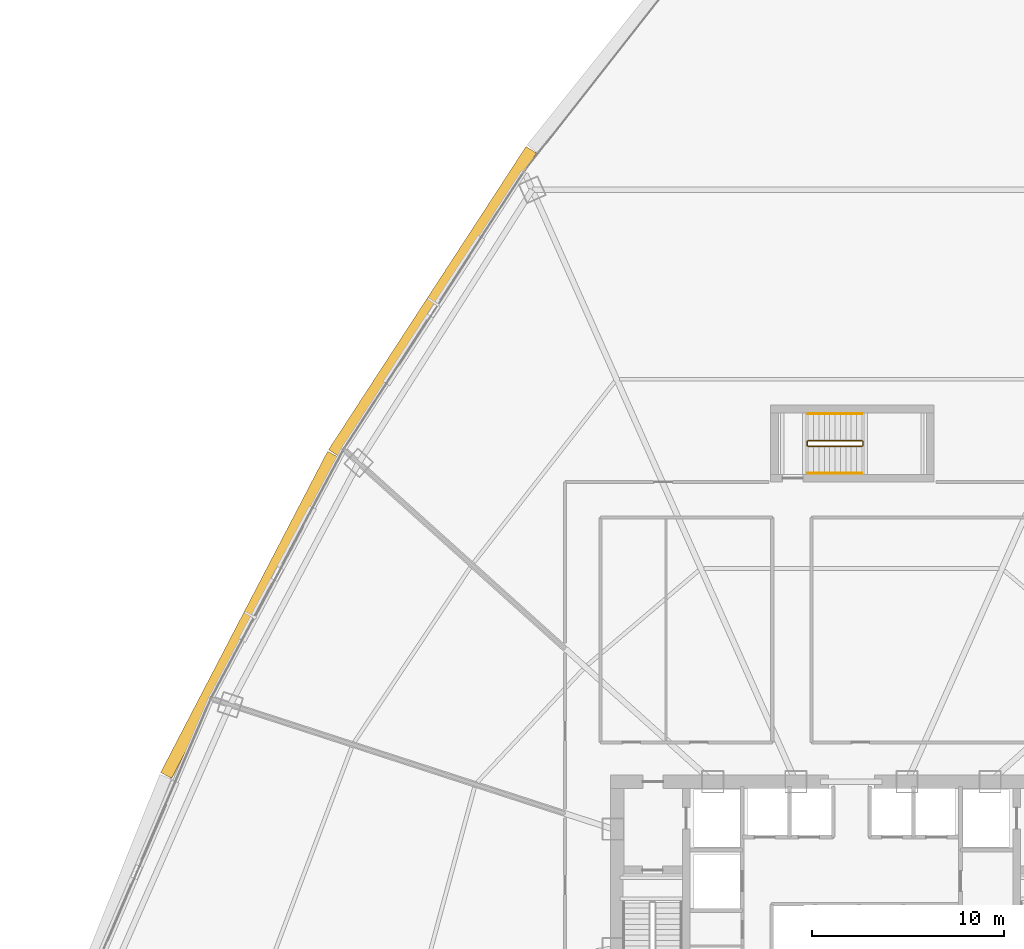
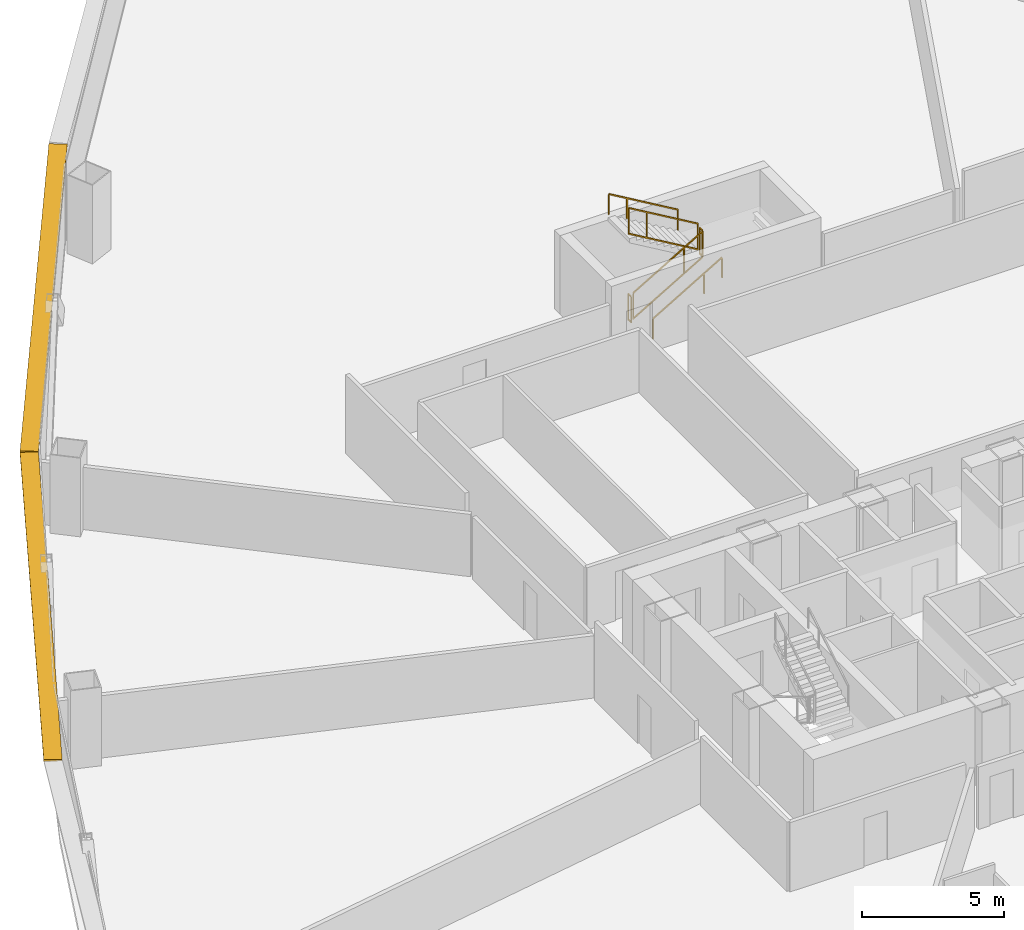
# One storey, part 39 of 40: 6 railings, 2 shading devices.
"""IFC4 building model written with IfcOpenShell, lengths in metres."""

from ifc_helpers import new_model, si_unit, direction, frame, origin, origin_2d, place, context, subcontext, project, spatial, rectangle, extrude, source, transform, mapped, material, layer, layer_set, type_object, element, save


model = new_model("IFC4")

# Units and contexts
model_context = context("Model", 3, precision=1e-05, world=origin(), true_north=direction((0.0, 1.0)))
body_context = subcontext(model_context, "Body", "Model", "MODEL_VIEW")
ifc_project = project(units=[si_unit("LENGTHUNIT", "METRE"), si_unit("AREAUNIT", "SQUARE_METRE"), si_unit("VOLUMEUNIT", "CUBIC_METRE"), si_unit("PLANEANGLEUNIT", "RADIAN"), si_unit("MASSUNIT", "GRAM", prefix="KILO"), si_unit("THERMODYNAMICTEMPERATUREUNIT", "KELVIN"), si_unit("POWERUNIT", "WATT")], contexts=[model_context])

# Site, building, storey
site_placement = place(None, origin())
site = spatial("IfcSite", under=ifc_project, at=site_placement, CompositionType="ELEMENT")
building_placement = place(site_placement, origin())
building = spatial("IfcBuilding", under=site, at=building_placement, Name="Yunzhuo Pagoda Commons", CompositionType="ELEMENT")
storey_placement = place(building_placement, frame((0.0, 0.0, 66.699951171875)))
storey = spatial("IfcBuildingStorey", under=building, at=storey_placement, Name="L17", CompositionType="ELEMENT", Elevation=66.699951171875)

# Railings
ifc_material = material(Name="Anodized aluminium 6063-T6", Category="aluminium")
railing_type_1 = type_object("IfcRailingType", Name="GR-ST3 North Well Guardrail 1155", PredefinedType="GUARDRAIL", material=ifc_material)
railing_1_placement = place(storey_placement, frame((45.75, 57.64990234375, 0.1650390625)))
element("IfcRailing", 1, at=railing_1_placement, inside=storey, type_object=railing_type_1, Name="L17 ST3 stair guard 1", PredefinedType="GUARDRAIL", context=body_context, shape_type="SweptSolid", body=[
    extrude(rectangle(XDim=0.048095703125, YDim=0.048095703125, at=origin_2d()), frame((0.0, 0.0, 1.1259765625), z_axis=(0.861555476484, 0.0, 0.507663432739), x_axis=(0.0, 1.0, 0.0)), (0.0, 0.0, 1.0), 3.25),
    extrude(rectangle(XDim=0.048095703125, YDim=0.048095703125, at=origin_2d()), frame((0.0, 0.0, 0.02392578125), z_axis=(0.861555476484, 0.0, 0.507663432739), x_axis=(0.0, 1.0, 0.0)), (0.0, 0.0, 1.0), 3.25),
    extrude(rectangle(XDim=0.0419921875, YDim=0.0419921875, at=origin_2d()), origin(), (0.0, 0.0, 1.0), 1.101806640625),
    extrude(rectangle(XDim=0.0419921875, YDim=0.0419921875, at=origin_2d()), frame((2.067626953125, 0.0, 1.218505859375)), (0.0, 0.0, 1.0), 1.101806640625),
    extrude(rectangle(XDim=0.0419921875, YDim=0.0419921875, at=origin_2d()), frame((2.800048828125, 0.0, 1.64990234375)), (0.0, 0.0, 1.0), 1.101806640625),
])
railing_2_placement = place(storey_placement, frame((48.60009765625, 57.699951171875, 1.81494140625)))
element("IfcRailing", 2, at=railing_2_placement, inside=storey, type_object=railing_type_1, Name="L17 ST3 stair guard 2", PredefinedType="GUARDRAIL", context=body_context, shape_type="SweptSolid", body=[
    extrude(rectangle(XDim=0.048095703125, YDim=0.048095703125, at=origin_2d()), frame((0.0, 0.0, 1.1259765625), z_axis=(0.0, 1.0, 0.0), x_axis=(-1.0, 0.0, 0.0)), (0.0, 0.0, 1.0), 0.199951171875),
    extrude(rectangle(XDim=0.048095703125, YDim=0.048095703125, at=origin_2d()), frame((0.0, 0.0, 0.02392578125), z_axis=(0.0, 1.0, 0.0), x_axis=(-1.0, 0.0, 0.0)), (0.0, 0.0, 1.0), 0.199951171875),
    extrude(rectangle(XDim=0.0419921875, YDim=0.0419921875, at=origin_2d()), origin(), (0.0, 0.0, 1.0), 1.101806640625),
    extrude(rectangle(XDim=0.0419921875, YDim=0.0419921875, at=origin_2d()), frame((0.0, 0.199951171875, 0.0)), (0.0, 0.0, 1.0), 1.101806640625),
])
railing_3_placement = place(storey_placement, frame((48.550048828125, 57.949951171875, 1.97998046875)))
element("IfcRailing", 3, at=railing_3_placement, inside=storey, type_object=railing_type_1, Name="L17 ST3 stair guard 3", PredefinedType="GUARDRAIL", context=body_context, shape_type="SweptSolid", body=[
    extrude(rectangle(XDim=0.048095703125, YDim=0.048095703125, at=origin_2d()), frame((0.0, 0.0, 1.1259765625), z_axis=(-0.86152261977, 0.0, 0.507719189732), x_axis=(0.0, -1.0, 0.0)), (0.0, 0.0, 1.0), 3.25),
    extrude(rectangle(XDim=0.048095703125, YDim=0.048095703125, at=origin_2d()), frame((0.0, 0.0, 0.02392578125), z_axis=(-0.86152261977, 0.0, 0.507719189732), x_axis=(0.0, -1.0, 0.0)), (0.0, 0.0, 1.0), 3.25),
    extrude(rectangle(XDim=0.0419921875, YDim=0.0419921875, at=origin_2d()), origin(), (0.0, 0.0, 1.0), 1.101806640625),
    extrude(rectangle(XDim=0.0419921875, YDim=0.0419921875, at=origin_2d()), frame((-2.067626953125, 0.0, 1.218505859375)), (0.0, 0.0, 1.0), 1.101806640625),
    extrude(rectangle(XDim=0.0419921875, YDim=0.0419921875, at=origin_2d()), frame((-2.800048828125, 0.0, 1.650146484375)), (0.0, 0.0, 1.0), 1.101806640625),
])
railing_4_placement = place(storey_placement, frame((45.699951171875, 57.699951171875, 0.0)))
element("IfcRailing", 4, at=railing_4_placement, inside=storey, type_object=railing_type_1, Name="L17 ST3 stair guard 4", PredefinedType="GUARDRAIL", context=body_context, shape_type="SweptSolid", body=[
    extrude(rectangle(XDim=0.048095703125, YDim=0.048095703125, at=origin_2d()), frame((0.0, 0.0, 1.1259765625), z_axis=(0.0, 1.0, 0.0), x_axis=(-1.0, 0.0, 0.0)), (0.0, 0.0, 1.0), 0.199951171875),
    extrude(rectangle(XDim=0.048095703125, YDim=0.048095703125, at=origin_2d()), frame((0.0, 0.0, 0.02392578125), z_axis=(0.0, 1.0, 0.0), x_axis=(-1.0, 0.0, 0.0)), (0.0, 0.0, 1.0), 0.199951171875),
    extrude(rectangle(XDim=0.0419921875, YDim=0.0419921875, at=origin_2d()), origin(), (0.0, 0.0, 1.0), 1.101806640625),
    extrude(rectangle(XDim=0.0419921875, YDim=0.0419921875, at=origin_2d()), frame((0.0, 0.199951171875, 0.0)), (0.0, 0.0, 1.0), 1.101806640625),
])
railing_type_2 = type_object("IfcRailingType", Name="HR-ST3 North Stair Handrail 900", PredefinedType="HANDRAIL", material=ifc_material)
railing_5_placement = place(storey_placement, frame((45.75, 56.25, 0.1650390625)))
element("IfcRailing", 5, at=railing_5_placement, inside=storey, type_object=railing_type_2, Name="L17 ST3 stair handrail 1", PredefinedType="HANDRAIL", context=body_context, shape_type="SweptSolid", body=[
    extrude(rectangle(XDim=0.048095703125, YDim=0.048095703125, at=origin_2d()), frame((0.0, 0.0, 0.8759765625), z_axis=(0.861555476484, 0.0, 0.507663432739), x_axis=(0.0, 1.0, 0.0)), (0.0, 0.0, 1.0), 3.25),
    extrude(rectangle(XDim=0.0419921875, YDim=0.0419921875, at=origin_2d()), origin(), (0.0, 0.0, 1.0), 0.851806640625),
    extrude(rectangle(XDim=0.0419921875, YDim=0.0419921875, at=origin_2d()), frame((2.067626953125, 0.0, 1.218505859375)), (0.0, 0.0, 1.0), 0.851806640625),
    extrude(rectangle(XDim=0.0419921875, YDim=0.0419921875, at=origin_2d()), frame((2.800048828125, 0.0, 1.64990234375)), (0.0, 0.0, 1.0), 0.851806640625),
])
railing_6_placement = place(storey_placement, frame((48.550048828125, 59.35009765625, 1.97998046875)))
element("IfcRailing", 6, at=railing_6_placement, inside=storey, type_object=railing_type_2, Name="L17 ST3 stair handrail 2", PredefinedType="HANDRAIL", context=body_context, shape_type="SweptSolid", body=[
    extrude(rectangle(XDim=0.048095703125, YDim=0.048095703125, at=origin_2d()), frame((0.0, 0.0, 0.8759765625), z_axis=(-0.86152261977, 0.0, 0.507719189732), x_axis=(0.0, -1.0, 0.0)), (0.0, 0.0, 1.0), 3.25),
    extrude(rectangle(XDim=0.0419921875, YDim=0.0419921875, at=origin_2d()), origin(), (0.0, 0.0, 1.0), 0.851806640625),
    extrude(rectangle(XDim=0.0419921875, YDim=0.0419921875, at=origin_2d()), frame((-2.067626953125, 0.0, 1.218505859375)), (0.0, 0.0, 1.0), 0.851806640625),
    extrude(rectangle(XDim=0.0419921875, YDim=0.0419921875, at=origin_2d()), frame((-2.800048828125, 0.0, 1.650146484375)), (0.0, 0.0, 1.0), 0.851806640625),
])

# Shading devices
ifc_layer = layer(ifc_material, 0.080078125)
ifc_layer_set = layer_set([ifc_layer], Name="Anodized aluminium 6063-T6")
shading_device_type = type_object("IfcShadingDeviceType", Name="SH-SUN1 Pagoda Horizontal Sunshade Eave 650", PredefinedType="USERDEFINED", material=ifc_layer_set)
shared_shape = source(origin(), body_context, "Body", "SweptSolid", [
    extrude(rectangle(XDim=18.843994140625, YDim=0.64990234375, at=origin_2d()), origin(), (0.0, 0.0, 1.0), 0.080078125),
])
for number, where, z_axis, x_axis, name in (
    (7, (26.196044921875, 65.1953125, 3.2900390625), (0.0, 0.0, 1.0), (-0.545838756973, -0.837890238269, 0.0), "L17 horizontal pagoda sunshade eave F3.2"),
    (8, (16.675537109375, 48.8857421875, 3.2900390625), (0.0, 0.0, 1.0), (-0.461206683033, -0.88729273384, 0.0), "L17 horizontal pagoda sunshade eave F3.3"),
):
    element("IfcShadingDevice", number, at=place(storey_placement, frame(where, z_axis=z_axis, x_axis=x_axis)), inside=storey, type_object=shading_device_type, Name=name, ObjectType="SUNSHADE", PredefinedType="USERDEFINED", context=body_context, shape_type="MappedRepresentation", body=[
        mapped(shared_shape, transform((0.0, 0.0, 0.0), scale=1.0)),
    ])

save(model, "model.ifc")
